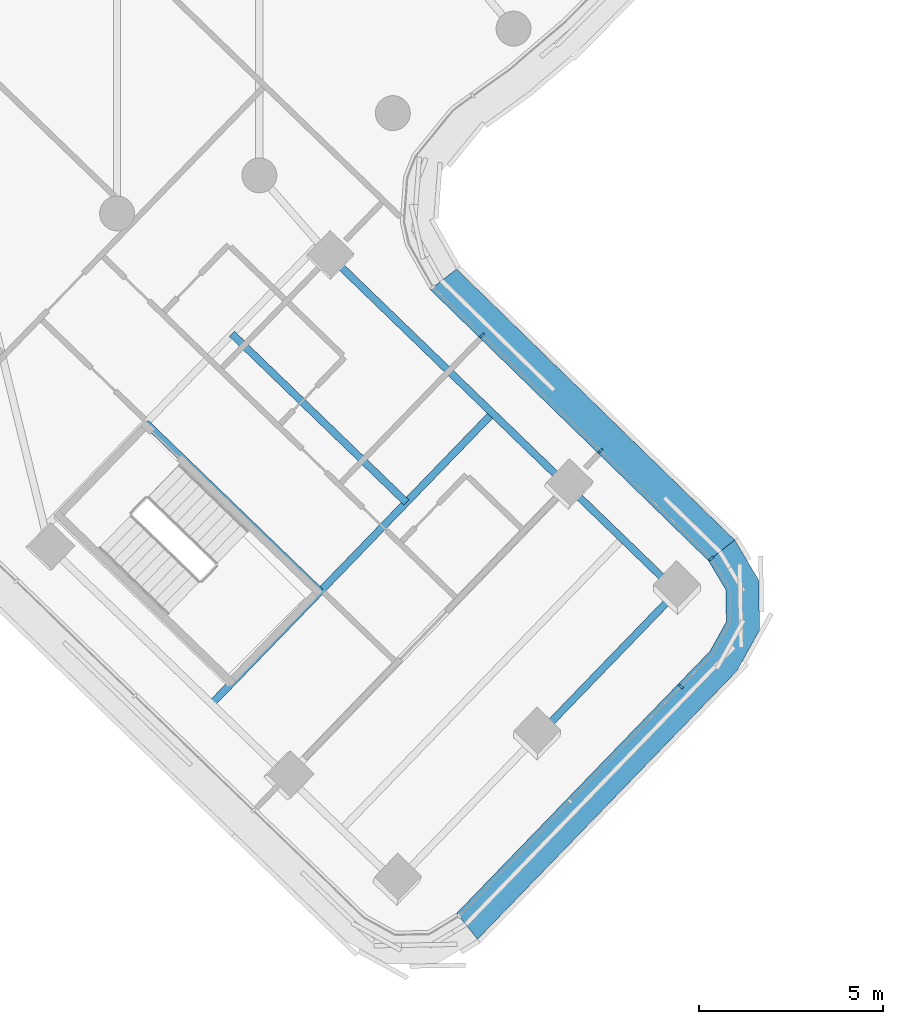
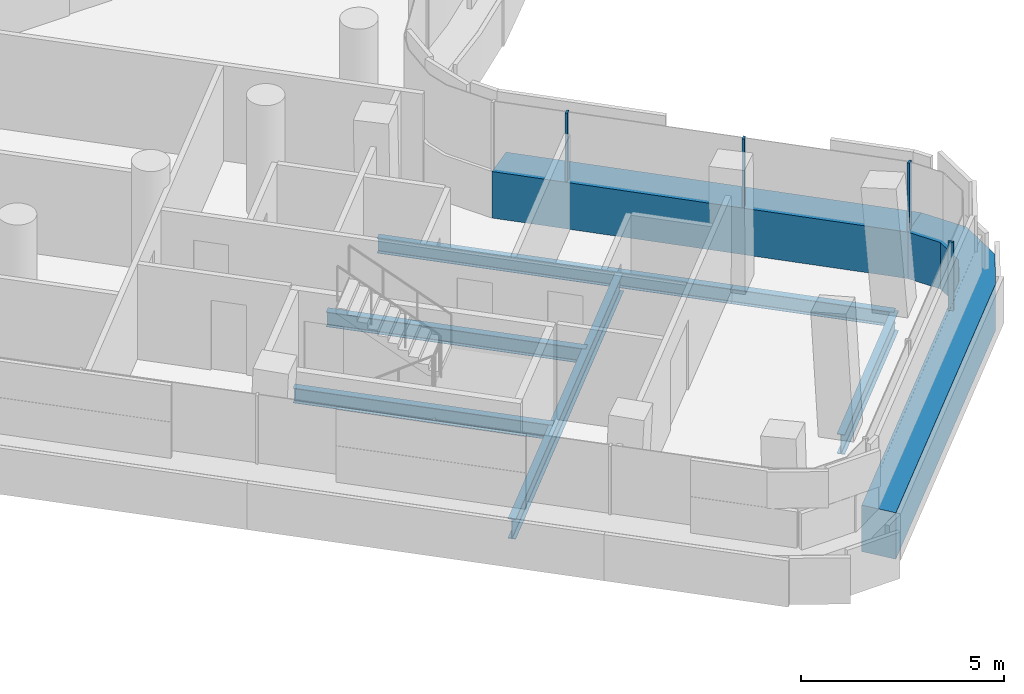
# One storey, part 5 of 31: 6 beams, 6 members, 2 elements without a shape of their own.
"""IFC4 building model written with IfcOpenShell, lengths in metres."""

from ifc_helpers import new_model, si_unit, direction, frame, origin, origin_2d, place, context, subcontext, project, spatial, polyline, rectangle, i_section, outline, extrude, material, layer, layer_set, material_profile, profile_set, type_object, element, aggregate, save


model = new_model("IFC4")

# Units and contexts
model_context = context("Model", 3, precision=1e-05, world=origin(), true_north=direction((0.0, 1.0)))
body_context = subcontext(model_context, "Body", "Model", "MODEL_VIEW")
ifc_project = project(units=[si_unit("LENGTHUNIT", "METRE"), si_unit("AREAUNIT", "SQUARE_METRE"), si_unit("VOLUMEUNIT", "CUBIC_METRE"), si_unit("PLANEANGLEUNIT", "RADIAN"), si_unit("MASSUNIT", "GRAM", prefix="KILO")], contexts=[model_context])

# Site, building, storey
site_placement = place(None, origin())
site = spatial("IfcSite", under=ifc_project, at=site_placement, CompositionType="ELEMENT")
building_placement = place(site_placement, origin())
building = spatial("IfcBuilding", under=site, at=building_placement, Name="Tamarind Cross Interchange Tower", CompositionType="ELEMENT")
storey_placement = place(building_placement, frame((0.0, 0.0, 200.5)))
storey = spatial("IfcBuildingStorey", under=building, at=storey_placement, Name="L50", CompositionType="ELEMENT", Elevation=200.5)

# Beams
ifc_material_1 = material(Name="Steel Q355B", Category="steel")
ifc_material_profile_1 = material_profile(ifc_material_1, i_section(OverallWidth=0.198974609375, OverallDepth=0.446044921875, WebThickness=0.008056640625, FlangeThickness=0.011962890625, FilletRadius=0.012939453125, at=origin_2d()), Name="HN 446x199x8x12")
ifc_profile_set_1 = profile_set([ifc_material_profile_1], Name="Steel Q355B")
beam_type_1 = type_object("IfcBeamType", Name="Composite beam HN 446x199x8x12 Q355B", PredefinedType="BEAM", material=ifc_profile_set_1)
beam_1_placement = place(storey_placement, frame((19.236328125, -32.945556640625, -0.363037109375), z_axis=(-0.718952996484, 0.695058694533, 0.0), x_axis=(-0.695058694533, -0.718952996484, 0.0)))
element("IfcBeam", 1, at=beam_1_placement, inside=storey, type_object=beam_type_1, Name="Beam S-edgeep2", PredefinedType="BEAM", context=body_context, shape_type="SweptSolid", body=[
    extrude(i_section(OverallWidth=0.198974609375, OverallDepth=0.446044921875, WebThickness=0.008056640625, FlangeThickness=0.011962890625, FilletRadius=0.012939453125, at=origin_2d()), origin(), (0.0, 0.0, 1.0), 4.13818359375),
])
beam_2_placement = place(storey_placement, frame((16.26123046875, -30.0693359375, -0.363037109375), z_axis=(-0.718995153813, 0.695015085299, 0.0), x_axis=(-0.695015085299, -0.718995153813, 0.0)))
element("IfcBeam", 2, at=beam_2_placement, inside=storey, type_object=beam_type_1, Name="Beam S-edgeep3", PredefinedType="BEAM", context=body_context, shape_type="SweptSolid", body=[
    extrude(i_section(OverallWidth=0.198974609375, OverallDepth=0.446044921875, WebThickness=0.008056640625, FlangeThickness=0.011962890625, FilletRadius=0.012939453125, at=origin_2d()), origin(), (0.0, 0.0, 1.0), 9.0),
])
beam_3_placement = place(storey_placement, frame((4.775390625, -28.354736328125, -0.363037109375), z_axis=(0.718990224524, -0.695020184627, 0.0), x_axis=(0.695020184627, 0.718990224524, 0.0)))
element("IfcBeam", 3, at=beam_3_placement, inside=storey, type_object=beam_type_1, Name="Beam S-tr1", PredefinedType="BEAM", context=body_context, shape_type="SweptSolid", body=[
    extrude(i_section(OverallWidth=0.198974609375, OverallDepth=0.446044921875, WebThickness=0.008056640625, FlangeThickness=0.011962890625, FilletRadius=0.012939453125, at=origin_2d()), origin(), (0.0, 0.0, 1.0), 6.60009765625),
])
beam_4_placement = place(storey_placement, frame((7.12109375, -25.927978515625, -0.363037109375), z_axis=(0.718972355291, -0.695038669663, 0.0), x_axis=(0.695038669663, 0.718972355291, 0.0)))
element("IfcBeam", 4, at=beam_4_placement, inside=storey, type_object=beam_type_1, Name="Beam S-stripp", PredefinedType="BEAM", context=body_context, shape_type="SweptSolid", body=[
    extrude(i_section(OverallWidth=0.198974609375, OverallDepth=0.446044921875, WebThickness=0.008056640625, FlangeThickness=0.011962890625, FilletRadius=0.012939453125, at=origin_2d()), origin(), (0.0, 0.0, 1.0), 6.599853515625),
])
ifc_material_profile_2 = material_profile(ifc_material_1, i_section(OverallWidth=0.198974609375, OverallDepth=0.595947265625, WebThickness=0.010009765625, FlangeThickness=0.014892578125, FilletRadius=0.012939453125, at=origin_2d()), Name="HN 596x199x10x15")
ifc_profile_set_2 = profile_set([ifc_material_profile_2], Name="Steel Q355B")
beam_type_2 = type_object("IfcBeamType", Name="Composite beam HN 596x199x10x15 Q355B", PredefinedType="BEAM", material=ifc_profile_set_2)
beam_5_placement = place(storey_placement, frame((15.413818359375, -36.89990234375, -0.43798828125), z_axis=(0.69501980211, 0.718990594288, 0.0), x_axis=(-0.718990594288, 0.69501980211, 0.0)))
element("IfcBeam", 5, at=beam_5_placement, inside=storey, type_object=beam_type_2, Name="Beam S-tip1", PredefinedType="BEAM", context=body_context, shape_type="SweptSolid", body=[
    extrude(i_section(OverallWidth=0.198974609375, OverallDepth=0.595947265625, WebThickness=0.010009765625, FlangeThickness=0.014892578125, FilletRadius=0.012939453125, at=origin_2d()), origin(), (0.0, 0.0, 1.0), 5.499755859375),
])
beam_6_placement = place(storey_placement, frame((6.56689453125, -35.99755859375, -0.43798828125), z_axis=(0.695008710992, 0.719001315469, 0.0), x_axis=(-0.719001315469, 0.695008710992, 0.0)))
element("IfcBeam", 6, at=beam_6_placement, inside=storey, type_object=beam_type_2, Name="Beam S-x364", PredefinedType="BEAM", context=body_context, shape_type="SweptSolid", body=[
    extrude(i_section(OverallWidth=0.198974609375, OverallDepth=0.595947265625, WebThickness=0.010009765625, FlangeThickness=0.014892578125, FilletRadius=0.012939453125, at=origin_2d()), origin(), (0.0, 0.0, 1.0), 11.0),
])

# Curtain wall, member
ifc_material_2 = material(Name="Aluminium 6063-T6", Category="aluminium")
ifc_layer = layer(ifc_material_2, 0.139892578125)
ifc_layer_set = layer_set([ifc_layer], Name="Aluminium 6063-T6")
curtain_wall_type = type_object("IfcCurtainWallType", Name="Hotel curtain wall, 4.5 m bays", PredefinedType="NOTDEFINED", material=ifc_layer_set)
curtain_wall_1_placement = place(storey_placement, origin())
curtain_wall_1 = element("IfcCurtainWall", 7, at=curtain_wall_1_placement, inside=storey, type_object=curtain_wall_type, Name="CWS-L50-04", PredefinedType="NOTDEFINED")
ifc_material_3 = material(Name="Aluminium and insulated spandrel panel", Category="aluminium")
member_type_1 = type_object("IfcMemberType", Name="Floor-edge blade transom", PredefinedType="USERDEFINED", material=ifc_material_3)
member_1_placement = place(storey_placement, origin())
member_1 = element("IfcMember", 8, at=member_1_placement, type_object=member_type_1, Name="CWT-L50-04", ObjectType="TRANSOM", PredefinedType="USERDEFINED", context=body_context, shape_type="SweptSolid", body=[
    extrude(outline(polyline([(13.23876953125, -41.69677734375), (20.134033203125, -34.5634765625), (20.578369140625, -33.76318359375), (20.5634765625, -32.888671875), (20.092041015625, -32.103271484375), (20.8037109375, -31.540283203125), (21.459228515625, -32.63232421875), (21.482177734375, -33.989013671875), (20.863525390625, -35.10400390625), (13.803466796875, -42.407470703125), (13.23876953125, -41.69677734375)])), origin(), (0.0, 0.0, 1.0), 1.39990234375),
])

curtain_wall_2_placement = place(storey_placement, origin())
curtain_wall_2 = element("IfcCurtainWall", 9, at=curtain_wall_2_placement, inside=storey, type_object=curtain_wall_type, Name="CWS-L50-05", PredefinedType="NOTDEFINED")
member_2_placement = place(storey_placement, origin())
member_2 = element("IfcMember", 10, at=member_2_placement, type_object=member_type_1, Name="CWT-L50-05", ObjectType="TRANSOM", PredefinedType="USERDEFINED", context=body_context, shape_type="SweptSolid", body=[
    extrude(outline(polyline([(20.092041015625, -32.103271484375), (12.51318359375, -24.718505859375), (13.23486328125, -24.1650390625), (20.8037109375, -31.540283203125), (20.092041015625, -32.103271484375)])), origin(), (0.0, 0.0, 1.0), 1.39990234375),
])

# Member
ifc_material_profile_3 = material_profile(ifc_material_2, rectangle(XDim=0.06005859375, YDim=0.139892578125, at=origin_2d()), Name="Mullion CW2")
ifc_profile_set_3 = profile_set([ifc_material_profile_3], Name="Aluminium 6063-T6")
member_type_2 = type_object("IfcMemberType", Name="Mullion CW2", PredefinedType="MULLION", material=ifc_profile_set_3)
member_3_placement = place(storey_placement, frame((19.342041015625, -35.52685546875, 1.39990234375), z_axis=(0.0, 0.0, 1.0), x_axis=(0.695019862308, 0.718990536097, 0.0)))
member_3 = element("IfcMember", 11, at=member_3_placement, type_object=member_type_2, Name="CWM-L50-04-02", PredefinedType="MULLION", context=body_context, shape_type="SweptSolid", body=[
    extrude(rectangle(XDim=0.06005859375, YDim=0.139892578125, at=origin_2d()), origin(), (0.0, 0.0, 1.0), 2.06005859375),
])

aggregate(curtain_wall_1, [member_3, member_1])

member_4_placement = place(storey_placement, frame((20.171142578125, -32.040771484375, 1.39990234375), z_axis=(0.0, 0.0, 1.0), x_axis=(-0.620559770966, 0.784159148807, 0.0)))
member_4 = element("IfcMember", 12, at=member_4_placement, type_object=member_type_2, Name="CWM-L50-05-00", PredefinedType="MULLION", context=body_context, shape_type="SweptSolid", body=[
    extrude(rectangle(XDim=0.06005859375, YDim=0.139892578125, at=origin_2d()), origin(), (0.0, 0.0, 1.0), 2.06005859375),
])

member_5_placement = place(storey_placement, frame((17.15625, -29.103271484375, 1.39990234375), z_axis=(0.0, 0.0, 1.0), x_axis=(-0.716214822017, 0.6978798813, 0.0)))
member_5 = element("IfcMember", 13, at=member_5_placement, type_object=member_type_2, Name="CWM-L50-05-01", PredefinedType="MULLION", context=body_context, shape_type="SweptSolid", body=[
    extrude(rectangle(XDim=0.06005859375, YDim=0.139892578125, at=origin_2d()), origin(), (0.0, 0.0, 1.0), 2.06005859375),
])

member_6_placement = place(storey_placement, frame((13.932373046875, -25.9619140625, 1.39990234375), z_axis=(0.0, 0.0, 1.0), x_axis=(-0.716214822017, 0.6978798813, 0.0)))
member_6 = element("IfcMember", 14, at=member_6_placement, type_object=member_type_2, Name="CWM-L50-05-02", PredefinedType="MULLION", context=body_context, shape_type="SweptSolid", body=[
    extrude(rectangle(XDim=0.06005859375, YDim=0.139892578125, at=origin_2d()), origin(), (0.0, 0.0, 1.0), 2.06005859375),
])

aggregate(curtain_wall_2, [member_4, member_5, member_6, member_2])

save(model, "model.ifc")
